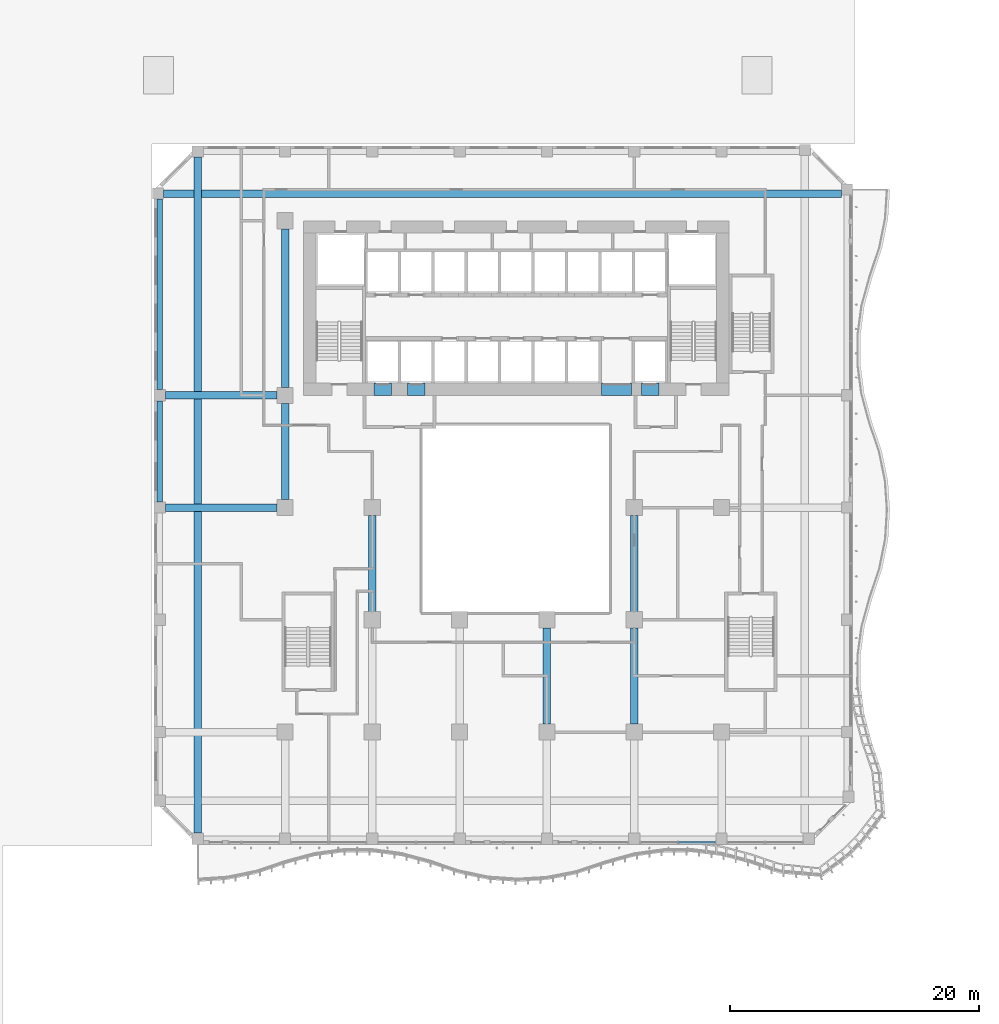
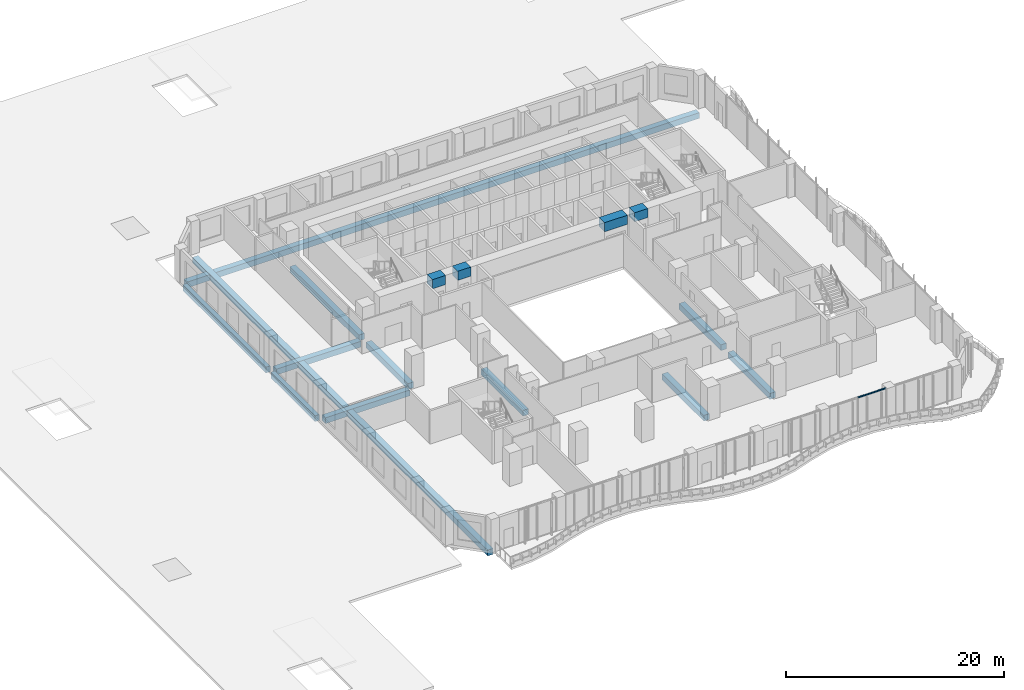
# One storey, part 6 of 29: 16 beams, 1 member, 1 element without a shape of its own.
"""IFC4 building model written with IfcOpenShell, lengths in metres."""

from ifc_helpers import new_model, si_unit, direction, frame, origin, origin_2d, place, context, subcontext, project, spatial, rectangle, extrude, source, transform, mapped, material, material_profile, profile_set, type_object, element, aggregate, save


model = new_model("IFC4")

# Units and contexts
model_context = context("Model", 3, precision=1e-05, world=origin(), true_north=direction((0.0, 1.0)))
body_context = subcontext(model_context, "Body", "Model", "MODEL_VIEW")
ifc_project = project(units=[si_unit("LENGTHUNIT", "METRE"), si_unit("AREAUNIT", "SQUARE_METRE"), si_unit("VOLUMEUNIT", "CUBIC_METRE"), si_unit("PLANEANGLEUNIT", "RADIAN"), si_unit("MASSUNIT", "GRAM", prefix="KILO")], contexts=[model_context])

# Site, building, storey
site_placement = place(None, origin())
site = spatial("IfcSite", under=ifc_project, at=site_placement, CompositionType="ELEMENT")
building_placement = place(site_placement, origin())
building = spatial("IfcBuilding", under=site, at=building_placement, Name="Kilnfold Tower and Market Hall", CompositionType="ELEMENT")
storey_placement = place(building_placement, frame((0.0, 0.0, 27.0)))
storey = spatial("IfcBuildingStorey", under=building, at=storey_placement, Name="L05", CompositionType="ELEMENT", Elevation=27.0)

# Beams
ifc_material_1 = material(Name="Concrete C45", Category="concrete")
ifc_material_profile_1 = material_profile(ifc_material_1, rectangle(XDim=0.60009765625, YDim=0.64990234375, at=origin_2d()), Name="RC 600x650")
ifc_profile_set_1 = profile_set([ifc_material_profile_1], Name="Concrete C45")
beam_type_1 = type_object("IfcBeamType", Name="BEAM 600X650 C45", PredefinedType="BEAM", material=ifc_profile_set_1)
shared_shape_1 = source(origin(), body_context, "Body", "SweptSolid", [
    extrude(rectangle(XDim=0.60009765625, YDim=0.64990234375, at=origin_2d()), origin(), (0.0, 0.0, 1.0), 8.9501953125),
])
for number, where, z_axis, x_axis, name in (
    (1, (-27.10009765625, -1.0, -0.60498046875), (1.0, 0.0, 0.0), (0.0, 1.0, 0.0), "Beam BB650-B1.16"),
    (2, (-27.10009765625, 8.0, -0.60498046875), (1.0, 0.0, 0.0), (0.0, 1.0, 0.0), "Beam BB650-B1.21"),
):
    element("IfcBeam", number, at=place(storey_placement, frame(where, z_axis=z_axis, x_axis=x_axis)), inside=storey, type_object=beam_type_1, Name=name, PredefinedType="BEAM", context=body_context, shape_type="MappedRepresentation", body=[
        mapped(shared_shape_1, transform((0.0, 0.0, 0.0))),
    ])
shared_shape_2 = source(origin(), body_context, "Body", "SweptSolid", [
    extrude(rectangle(XDim=0.60009765625, YDim=0.64990234375, at=origin_2d()), origin(), (0.0, 0.0, 1.0), 54.331787109375),
])
beam_1_placement = place(storey_placement, frame((-27.231689453125, 24.179931640625, -0.60498046875), z_axis=(1.0, 0.0, 0.0), x_axis=(0.0, 1.0, 0.0)))
element("IfcBeam", 3, at=beam_1_placement, inside=storey, type_object=beam_type_1, Name="Beam BB650-B1.22", PredefinedType="BEAM", context=body_context, shape_type="MappedRepresentation", body=[
    mapped(shared_shape_2, transform((0.0, 0.0, 0.0))),
])
ifc_material_2 = material(Name="Concrete C45", Category="concrete")
ifc_material_profile_2 = material_profile(ifc_material_2, rectangle(XDim=0.449951171875, YDim=0.64990234375, at=origin_2d()), Name="RC 450x650")
ifc_profile_set_2 = profile_set([ifc_material_profile_2], Name="Concrete C45")
beam_type_2 = type_object("IfcBeamType", Name="EDGE BEAM 450X650 C45", PredefinedType="BEAM", material=ifc_profile_set_2)
shared_shape_3 = source(origin(), body_context, "Body", "SweptSolid", [
    extrude(rectangle(XDim=0.449951171875, YDim=0.64990234375, at=origin_2d()), origin(), (0.0, 0.0, 1.0), 8.10009765625),
])
beam_2_placement = place(storey_placement, frame((-27.550048828125, -0.550048828125, -0.60498046875), z_axis=(0.0, 1.0, 0.0), x_axis=(-1.0, 0.0, 0.0)))
element("IfcBeam", 4, at=beam_2_placement, inside=storey, type_object=beam_type_2, Name="Beam EB650-B1.33", PredefinedType="BEAM", context=body_context, shape_type="MappedRepresentation", body=[
    mapped(shared_shape_3, transform((0.0, 0.0, 0.0))),
])
shared_shape_4 = source(origin(), body_context, "Body", "SweptSolid", [
    extrude(rectangle(XDim=0.449951171875, YDim=0.64990234375, at=origin_2d()), origin(), (0.0, 0.0, 1.0), 15.28173828125),
])
beam_3_placement = place(storey_placement, frame((-27.550048828125, 8.449951171875, -0.60498046875), z_axis=(0.0, 1.0, 0.0), x_axis=(-1.0, 0.0, 0.0)))
element("IfcBeam", 5, at=beam_3_placement, inside=storey, type_object=beam_type_2, Name="Beam EB650-B1.34", PredefinedType="BEAM", context=body_context, shape_type="MappedRepresentation", body=[
    mapped(shared_shape_4, transform((0.0, 0.0, 0.0))),
])
shared_shape_5 = source(origin(), body_context, "Body", "SweptSolid", [
    extrude(rectangle(XDim=0.60009765625, YDim=0.64990234375, at=origin_2d()), origin(), (0.0, 0.0, 1.0), 54.2001953125),
])
beam_4_placement = place(storey_placement, frame((-24.5, -27.10009765625, -0.60498046875), z_axis=(0.0, 1.0, 0.0), x_axis=(-1.0, 0.0, 0.0)))
element("IfcBeam", 6, at=beam_4_placement, inside=storey, type_object=beam_type_1, Name="Beam BB650-B1.35", PredefinedType="BEAM", context=body_context, shape_type="MappedRepresentation", body=[
    mapped(shared_shape_5, transform((0.0, 0.0, 0.0))),
])
shared_shape_6 = source(origin(), body_context, "Body", "SweptSolid", [
    extrude(rectangle(XDim=0.60009765625, YDim=0.64990234375, at=origin_2d()), origin(), (0.0, 0.0, 1.0), 7.7001953125),
])
for number, where, z_axis, x_axis, name in (
    (7, (-17.5, -0.35009765625, -0.60498046875), (0.0, 1.0, 0.0), (-1.0, 0.0, 0.0), "Beam BB650-B1.37"),
    (8, (-10.5, -9.35009765625, -0.60498046875), (0.0, 1.0, 0.0), (-1.0, 0.0, 0.0), "Beam BB650-B1.42"),
    (9, (3.5, -18.35009765625, -0.60498046875), (0.0, 1.0, 0.0), (-1.0, 0.0, 0.0), "Beam BB650-B1.46"),
    (10, (10.5, -18.35009765625, -0.60498046875), (0.0, 1.0, 0.0), (-1.0, 0.0, 0.0), "Beam BB650-B1.48"),
    (11, (10.5, -9.35009765625, -0.60498046875), (0.0, 1.0, 0.0), (-1.0, 0.0, 0.0), "Beam BB650-B1.49"),
):
    element("IfcBeam", number, at=place(storey_placement, frame(where, z_axis=z_axis, x_axis=x_axis)), inside=storey, type_object=beam_type_1, Name=name, PredefinedType="BEAM", context=body_context, shape_type="MappedRepresentation", body=[
        mapped(shared_shape_6, transform((0.0, 0.0, 0.0))),
    ])
shared_shape_7 = source(origin(), body_context, "Body", "SweptSolid", [
    extrude(rectangle(XDim=0.60009765625, YDim=0.64990234375, at=origin_2d()), origin(), (0.0, 0.0, 1.0), 12.7001953125),
])
beam_5_placement = place(storey_placement, frame((-17.5, 8.64990234375, -0.60498046875), z_axis=(0.0, 1.0, 0.0), x_axis=(-1.0, 0.0, 0.0)))
element("IfcBeam", 12, at=beam_5_placement, inside=storey, type_object=beam_type_1, Name="Beam BB650-B1.38", PredefinedType="BEAM", context=body_context, shape_type="MappedRepresentation", body=[
    mapped(shared_shape_7, transform((0.0, 0.0, 0.0))),
])
ifc_material_3 = material(Name="Concrete C80", Category="concrete")
ifc_material_profile_3 = material_profile(ifc_material_3, rectangle(XDim=1.0, YDim=1.02001953125, at=origin_2d()), Name="RC 1000x1020")
ifc_profile_set_3 = profile_set([ifc_material_profile_3], Name="Concrete C80")
beam_type_3 = type_object("IfcBeamType", Name="COUPLING BEAM 1000X1020 C80", PredefinedType="BEAM", material=ifc_profile_set_3)
shared_shape_8 = source(origin(), body_context, "Body", "SweptSolid", [
    extrude(rectangle(XDim=1.0, YDim=1.02001953125, at=origin_2d()), origin(), (0.0, 0.0, 1.0), 1.400146484375),
])
beam_6_placement = place(storey_placement, frame((-10.3701171875, 8.5, 3.2099609375), z_axis=(1.0, 0.0, 0.0), x_axis=(0.0, 1.0, 0.0)))
element("IfcBeam", 13, at=beam_6_placement, inside=storey, type_object=beam_type_3, Name="Coupling beam CB1020-80-CORE.42", PredefinedType="BEAM", context=body_context, shape_type="MappedRepresentation", body=[
    mapped(shared_shape_8, transform((0.0, 0.0, 0.0))),
])
shared_shape_9 = source(origin(), body_context, "Body", "SweptSolid", [
    extrude(rectangle(XDim=1.0, YDim=1.02001953125, at=origin_2d()), origin(), (0.0, 0.0, 1.0), 1.39990234375),
])
for number, where, z_axis, x_axis, name in (
    (14, (-7.68994140625, 8.5, 3.2099609375), (1.0, 0.0, 0.0), (0.0, 1.0, 0.0), "Coupling beam CB1020-80-CORE.43"),
    (15, (11.070068359375, 8.5, 3.2099609375), (1.0, 0.0, 0.0), (0.0, 1.0, 0.0), "Coupling beam CB1020-80-CORE.45"),
):
    element("IfcBeam", number, at=place(storey_placement, frame(where, z_axis=z_axis, x_axis=x_axis)), inside=storey, type_object=beam_type_3, Name=name, PredefinedType="BEAM", context=body_context, shape_type="MappedRepresentation", body=[
        mapped(shared_shape_9, transform((0.0, 0.0, 0.0))),
    ])
shared_shape_10 = source(origin(), body_context, "Body", "SweptSolid", [
    extrude(rectangle(XDim=1.0, YDim=1.02001953125, at=origin_2d()), origin(), (0.0, 0.0, 1.0), 2.400146484375),
])
beam_7_placement = place(storey_placement, frame((7.889892578125, 8.5, 3.2099609375), z_axis=(1.0, 0.0, 0.0), x_axis=(0.0, 1.0, 0.0)))
element("IfcBeam", 16, at=beam_7_placement, inside=storey, type_object=beam_type_3, Name="Coupling beam CB1020-80-CORE.44", PredefinedType="BEAM", context=body_context, shape_type="MappedRepresentation", body=[
    mapped(shared_shape_10, transform((0.0, 0.0, 0.0))),
])

# Curtain wall, member
ifc_material_4 = material(Name="Aluminium and double glazing", Category="aluminium")
curtain_wall_type = type_object("IfcCurtainWallType", Name="CW OF1 VALLEY GLAZING", PredefinedType="NOTDEFINED", material=ifc_material_4)
curtain_wall_placement = place(storey_placement, origin())
curtain_wall = element("IfcCurtainWall", 17, at=curtain_wall_placement, inside=storey, type_object=curtain_wall_type, Name="Curtain wall CW1 L05 S", PredefinedType="NOTDEFINED")
ifc_material_5 = material(Name="Aluminium", Category="aluminium")
ifc_material_profile_4 = material_profile(ifc_material_5, rectangle(XDim=0.06005859375, YDim=0.139892578125, at=origin_2d()), Name="TRANSOM 60x140")
ifc_profile_set_4 = profile_set([ifc_material_profile_4], Name="Aluminium")
member_type = type_object("IfcMemberType", Name="TRANSOM 60X140", PredefinedType="USERDEFINED", material=ifc_profile_set_4)
shared_shape_11 = source(origin(), body_context, "Body", "SweptSolid", [
    extrude(rectangle(XDim=0.06005859375, YDim=0.139892578125, at=origin_2d()), origin(), (0.0, 0.0, 1.0), 2.929931640625),
])
member_placement = place(storey_placement, frame((14.06005859375, -27.85009765625, 3.68994140625), z_axis=(1.0, 0.0, 0.0), x_axis=(0.0, 1.0, 0.0)))
member = element("IfcMember", 18, at=member_placement, type_object=member_type, Name="CW1 transom 1.2", ObjectType="TRANSOM", PredefinedType="USERDEFINED", context=body_context, shape_type="MappedRepresentation", body=[
    mapped(shared_shape_11, transform((0.0, 0.0, 0.0))),
])
aggregate(curtain_wall, [member])

save(model, "model.ifc")
